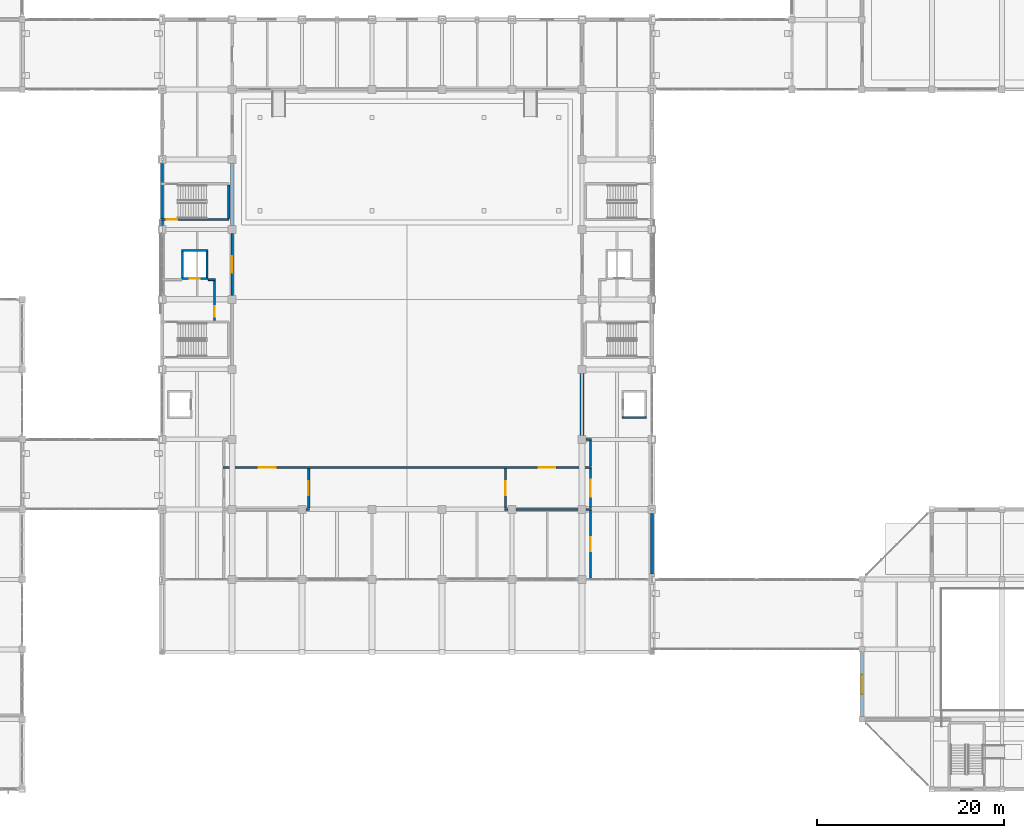
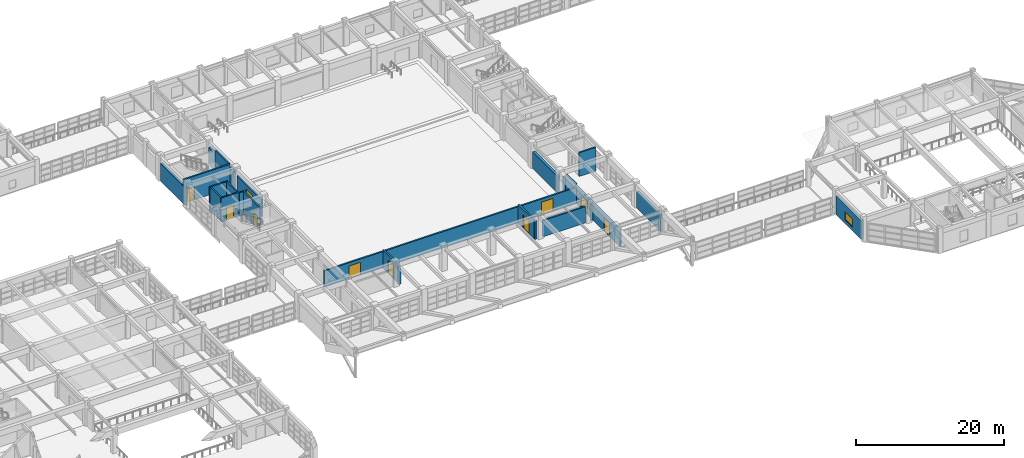
# One storey, part 101 of 132: 26 walls, 10 doors, 1 window, 11 openings.
"""IFC4 building model written with IfcOpenShell, lengths in metres."""

from ifc_helpers import new_model, si_unit, direction, frame, frame_2d, origin, place, context, subcontext, project, spatial, rectangle, extrude, material, layer, layer_set, type_object, element, fill, save


model = new_model("IFC4")

# Units and contexts
model_context = context("Model", 3, precision=1e-05, world=origin(), true_north=direction((0.0, 1.0)))
body_context = subcontext(model_context, "Body", "Model", "MODEL_VIEW")
ifc_project = project(units=[si_unit("LENGTHUNIT", "METRE"), si_unit("AREAUNIT", "SQUARE_METRE"), si_unit("VOLUMEUNIT", "CUBIC_METRE"), si_unit("PLANEANGLEUNIT", "RADIAN"), si_unit("MASSUNIT", "GRAM", prefix="KILO")], contexts=[model_context])

# Site, building, storey
site_placement = place(None, origin())
site = spatial("IfcSite", under=ifc_project, at=site_placement, CompositionType="ELEMENT")
building_placement = place(site_placement, origin())
building = spatial("IfcBuilding", under=site, at=building_placement, Name="Qasida Concert Hall", CompositionType="ELEMENT")
storey_placement = place(building_placement, frame((0.0, 0.0, 4.800048828125)))
storey = spatial("IfcBuildingStorey", under=building, at=storey_placement, Name="L01", CompositionType="ELEMENT", Elevation=4.800048828125)

# Wall
ifc_material_1 = material(Name="Concrete C40/50", Category="concrete")
ifc_layer_1 = layer(ifc_material_1, 0.219970703125, Name="Concrete C40/50")
ifc_layer_set_1 = layer_set([ifc_layer_1], Name="Concrete C40/50")
wall_type_1 = type_object("IfcWallType", Name="WL-CW-220", PredefinedType="SOLIDWALL", material=ifc_layer_set_1)
wall_1_placement = place(storey_placement, frame((101.7900390625, 39.85009765625, 0.0), z_axis=(0.0, 0.0, 1.0), x_axis=(1.0, 0.0, 0.0)))
element("IfcWall", 1, at=wall_1_placement, inside=storey, type_object=wall_type_1, Name="L01 LF-02 lift shaft wall S", PredefinedType="SOLIDWALL", context=body_context, shape_type="SweptSolid", body=[
    extrude(rectangle(XDim=2.619873046875, YDim=0.219970703125, at=frame_2d((1.31005859375, 0.0))), origin(), (0.0, 0.0, 1.0), 3.919921875),
])

# Wall, opening, door
wall_2_placement = place(storey_placement, frame((54.590087890625, 54.75, 0.0), z_axis=(0.0, 0.0, 1.0), x_axis=(1.0, 0.0, 0.0)))
wall_2 = element("IfcWall", 2, at=wall_2_placement, inside=storey, type_object=wall_type_1, Name="L01 LF-03 lift shaft wall S", PredefinedType="SOLIDWALL", context=body_context, shape_type="SweptSolid", body=[
    extrude(rectangle(XDim=2.81982421875, YDim=0.219970703125, at=frame_2d((1.409912109375, 0.0))), origin(), (0.0, 0.0, 1.0), 3.919921875),
])
opening_1_placement = place(wall_2_placement, frame((0.860107421875, 0.0, 0.0)))
opening_1 = element("IfcOpeningElement", 3, at=opening_1_placement, cuts=wall_2, Name="Opening LD-110", PredefinedType="OPENING", context=body_context, shape_type="SweptSolid", body=[
    extrude(rectangle(XDim=1.10009765625, YDim=2.14990234375, at=frame_2d((0.550048828125, 1.074951171875))), frame((0.0, 0.119873046875, 0.0), z_axis=(0.0, -1.0, 0.0), x_axis=(1.0, 0.0, 0.0)), (0.0, 0.0, 1.0), 0.239990234375),
])
ifc_material_2 = material(Name="Firefighting lift sliding landing door", Category="steel")
door_type_1 = type_object("IfcDoorType", Name="LD-110", OperationType="SLIDING_TO_LEFT", PredefinedType="DOOR", material=ifc_material_2)
door_1_placement = place(opening_1_placement, origin())
door_1 = element("IfcDoor", 4, at=door_1_placement, inside=storey, type_object=door_type_1, Name="Lift landing door LF-03 L01", OperationType="SLIDING_TO_LEFT", OverallHeight=2.14990234375, OverallWidth=1.10009765625, PredefinedType="DOOR", context=body_context, shape_type="SweptSolid", body=[
    extrude(rectangle(XDim=1.10009765625, YDim=2.14990234375, at=frame_2d((0.550048828125, 1.074951171875))), frame((0.0, 0.02490234375, 0.0), z_axis=(0.0, -1.0, 0.0), x_axis=(1.0, 0.0, 0.0)), (0.0, 0.0, 1.0), 0.050048828125),
])
fill(opening_1, door_1)

# Walls
wall_3_placement = place(storey_placement, frame((54.590087890625, 57.75, 0.0), z_axis=(0.0, 0.0, 1.0), x_axis=(1.0, 0.0, 0.0)))
element("IfcWall", 5, at=wall_3_placement, inside=storey, type_object=wall_type_1, Name="L01 LF-03 lift shaft wall N", PredefinedType="SOLIDWALL", context=body_context, shape_type="SweptSolid", body=[
    extrude(rectangle(XDim=2.81982421875, YDim=0.219970703125, at=frame_2d((1.409912109375, 0.0))), origin(), (0.0, 0.0, 1.0), 3.919921875),
])
for number, where, z_axis, x_axis, name in (
    (6, (54.699951171875, 54.860107421875, 0.0), (0.0, 0.0, 1.0), (0.0, 1.0, 0.0), "L01 LF-03 lift shaft wall W"),
    (7, (57.300048828125, 54.860107421875, 0.0), (0.0, 0.0, 1.0), (0.0, 1.0, 0.0), "L01 LF-03 lift shaft wall E"),
):
    element("IfcWall", number, at=place(storey_placement, frame(where, z_axis=z_axis, x_axis=x_axis)), inside=storey, type_object=wall_type_1, Name=name, PredefinedType="SOLIDWALL", context=body_context, shape_type="SweptSolid", body=[
        extrude(rectangle(XDim=2.77978515625, YDim=0.219970703125, at=frame_2d((1.389892578125, 0.0))), origin(), (0.0, 0.0, 1.0), 3.919921875),
    ])

# Wall, opening, door
wall_4_placement = place(storey_placement, frame((58.10009765625, 50.219970703125, 0.0), z_axis=(0.0, 0.0, 1.0), x_axis=(0.0, 1.0, 0.0)))
wall_4 = element("IfcWall", 8, at=wall_4_placement, inside=storey, type_object=wall_type_1, Name="L01 LF-03 firefighting lobby wall", PredefinedType="SOLIDWALL", context=body_context, shape_type="SweptSolid", body=[
    extrude(rectangle(XDim=4.409912109375, YDim=0.219970703125, at=frame_2d((2.205078125, 0.0))), origin(), (0.0, 0.0, 1.0), 3.919921875),
])
opening_2_placement = place(wall_4_placement, frame((0.449951171875, 0.0, 0.0)))
opening_2 = element("IfcOpeningElement", 9, at=opening_2_placement, cuts=wall_4, Name="Opening FD-110", PredefinedType="OPENING", context=body_context, shape_type="SweptSolid", body=[
    extrude(rectangle(XDim=1.10009765625, YDim=2.14990234375, at=frame_2d((0.550048828125, 1.074951171875))), frame((0.0, 0.119873046875, 0.0), z_axis=(0.0, -1.0, 0.0), x_axis=(1.0, 0.0, 0.0)), (0.0, 0.0, 1.0), 0.239990234375),
])
ifc_material_3 = material(Name="Steel fire-rated stair/lobby door set", Category="steel")
door_type_2 = type_object("IfcDoorType", Name="FD-110", OperationType="NOTDEFINED", PredefinedType="DOOR", material=ifc_material_3)
door_2_placement = place(opening_2_placement, origin())
door_2 = element("IfcDoor", 10, at=door_2_placement, inside=storey, type_object=door_type_2, Name="L01 LF-03 firefighting lobby fire door", OperationType="SINGLE_SWING_LEFT", OverallHeight=2.14990234375, OverallWidth=1.10009765625, PredefinedType="DOOR", context=body_context, shape_type="SweptSolid", body=[
    extrude(rectangle(XDim=1.10009765625, YDim=2.14990234375, at=frame_2d((0.550048828125, 1.074951171875))), frame((0.0, 0.02490234375, 0.0), z_axis=(0.0, -1.0, 0.0), x_axis=(1.0, 0.0, 0.0)), (0.0, 0.0, 1.0), 0.050048828125),
])
fill(opening_2, door_2)

ifc_layer_2 = layer(ifc_material_1, 0.25, Name="Concrete C40/50")
ifc_layer_set_2 = layer_set([ifc_layer_2], Name="Concrete C40/50")
wall_type_2 = type_object("IfcWallType", Name="WL-CW-250", PredefinedType="SOLIDWALL", material=ifc_layer_set_2)
wall_5_placement = place(storey_placement, frame((52.3798828125, 61.074951171875, 0.0), z_axis=(0.0, 0.0, 1.0), x_axis=(1.0, 0.0, 0.0)))
wall_5 = element("IfcWall", 11, at=wall_5_placement, inside=storey, type_object=wall_type_2, Name="L01 ST-11 stairwell wall S", PredefinedType="SOLIDWALL", context=body_context, shape_type="SweptSolid", body=[
    extrude(rectangle(XDim=7.260009765625, YDim=0.25, at=frame_2d((3.6298828125, 0.0))), origin(), (0.0, 0.0, 1.0), 3.919921875),
])
opening_3_placement = place(wall_5_placement, frame((0.6201171875, 0.0, 0.0)))
opening_3 = element("IfcOpeningElement", 12, at=opening_3_placement, cuts=wall_5, Name="Opening FD-110", PredefinedType="OPENING", context=body_context, shape_type="SweptSolid", body=[
    extrude(rectangle(XDim=1.10009765625, YDim=2.14990234375, at=frame_2d((0.550048828125, 1.074951171875))), frame((0.0, 0.135009765625, 0.0), z_axis=(0.0, -1.0, 0.0), x_axis=(1.0, 0.0, 0.0)), (0.0, 0.0, 1.0), 0.27001953125),
])
door_3_placement = place(opening_3_placement, origin())
door_3 = element("IfcDoor", 13, at=door_3_placement, inside=storey, type_object=door_type_2, Name="L01 ST-11 rated stair door", OperationType="SINGLE_SWING_LEFT", OverallHeight=2.14990234375, OverallWidth=1.10009765625, PredefinedType="DOOR", context=body_context, shape_type="SweptSolid", body=[
    extrude(rectangle(XDim=1.10009765625, YDim=2.14990234375, at=frame_2d((0.550048828125, 1.074951171875))), frame((0.0, 0.02490234375, 0.0), z_axis=(0.0, -1.0, 0.0), x_axis=(1.0, 0.0, 0.0)), (0.0, 0.0, 1.0), 0.050048828125),
])
fill(opening_3, door_3)

# Wall
wall_6_placement = place(storey_placement, frame((59.64501953125, 61.199951171875, 0.0), z_axis=(0.0, 0.0, 1.0), x_axis=(0.0, 1.0, 0.0)))
element("IfcWall", 14, at=wall_6_placement, inside=storey, type_object=wall_type_2, Name="L01 ST-11 stairwell wall E", PredefinedType="SOLIDWALL", context=body_context, shape_type="SweptSolid", body=[
    extrude(rectangle(XDim=3.56005859375, YDim=0.25, at=frame_2d((1.780029296875, 0.0))), origin(), (0.0, 0.0, 1.0), 3.919921875),
])

# Wall, opening, window
ifc_material_4 = material(Name="Precast concrete C40/50", Category="concrete")
ifc_layer_3 = layer(ifc_material_4, 0.320068359375, Name="Precast concrete C40/50")
ifc_layer_set_3 = layer_set([ifc_layer_3], Name="Precast concrete C40/50")
wall_type_3 = type_object("IfcWallType", Name="WL-EW-320", PredefinedType="SOLIDWALL", material=ifc_layer_set_3)
wall_7_placement = place(storey_placement, frame((127.5, 14.675048828125, 0.0), z_axis=(0.0, 0.0, 1.0), x_axis=(0.0, -1.0, 0.0)))
wall_7 = element("IfcWall", 15, at=wall_7_placement, inside=storey, type_object=wall_type_3, Name="L01 exterior wall EW-320 0163", PredefinedType="SOLIDWALL", context=body_context, shape_type="SweptSolid", body=[
    extrude(rectangle(XDim=6.85009765625, YDim=0.320068359375, at=frame_2d((3.425048828125, 0.0))), origin(), (0.0, 0.0, 1.0), 3.08984375),
])
opening_4_placement = place(wall_7_placement, frame((2.375, 0.0, 0.60009765625)))
opening_4 = element("IfcOpeningElement", 16, at=opening_4_placement, cuts=wall_7, Name="Opening WN-15", PredefinedType="OPENING", context=body_context, shape_type="SweptSolid", body=[
    extrude(rectangle(XDim=2.10009765625, YDim=1.300048828125, at=frame_2d((1.050048828125, 0.64990234375))), frame((0.0, 0.169921875, 0.0), z_axis=(0.0, -1.0, 0.0), x_axis=(1.0, 0.0, 0.0)), (0.0, 0.0, 1.0), 0.340087890625),
])
ifc_material_5 = material(Name="Bronze-anodized aluminium frame with acoustic low-E glazing", Category="aluminium")
window_type = type_object("IfcWindowType", Name="WN-15", PartitioningType="SINGLE_PANEL", PredefinedType="WINDOW", material=ifc_material_5)
window_placement = place(opening_4_placement, origin())
window = element("IfcWindow", 17, at=window_placement, inside=storey, type_object=window_type, Name="L01 window WN-15 0073", OverallHeight=1.300048828125, OverallWidth=2.10009765625, PartitioningType="SINGLE_PANEL", PredefinedType="WINDOW", context=body_context, shape_type="SweptSolid", body=[
    extrude(rectangle(XDim=2.10009765625, YDim=1.300048828125, at=frame_2d((1.050048828125, 0.64990234375))), frame((0.0, 0.030029296875, 0.0), z_axis=(0.0, -1.0, 0.0), x_axis=(1.0, 0.0, 0.0)), (0.0, 0.0, 1.0), 0.06005859375),
])
fill(opening_4, window)

# Walls
ifc_layer_4 = layer(ifc_material_4, 0.340087890625, Name="Precast concrete C40/50")
ifc_layer_set_4 = layer_set([ifc_layer_4], Name="Precast concrete C40/50")
wall_type_4 = type_object("IfcWallType", Name="WL-EW-340", PredefinedType="SOLIDWALL", material=ifc_layer_set_4)
wall_8_placement = place(storey_placement, frame((105.0, 23.06494140625, 0.0), z_axis=(0.0, 0.0, 1.0), x_axis=(0.0, 1.0, 0.0)))
element("IfcWall", 18, at=wall_8_placement, inside=storey, type_object=wall_type_4, Name="L01 exterior wall EW-340 0032", PredefinedType="SOLIDWALL", context=body_context, shape_type="SweptSolid", body=[
    extrude(rectangle(XDim=6.5, YDim=0.340087890625, at=frame_2d((3.25, 0.0))), origin(), (0.0, 0.0, 1.0), 2.68994140625),
])
wall_9_placement = place(storey_placement, frame((52.5, 60.43505859375, 0.0), z_axis=(0.0, 0.0, 1.0), x_axis=(0.0, 1.0, 0.0)))
element("IfcWall", 19, at=wall_9_placement, inside=storey, type_object=wall_type_4, Name="L01 exterior wall EW-340 0035", PredefinedType="SOLIDWALL", context=body_context, shape_type="SweptSolid", body=[
    extrude(rectangle(XDim=6.6298828125, YDim=0.340087890625, at=frame_2d((3.31494140625, 0.0))), origin(), (0.0, 0.0, 1.0), 2.93994140625),
])
ifc_material_6 = material(Name="Acoustic gypsum block and mineral wool", Category="gypsum")
ifc_layer_5 = layer(ifc_material_6, 0.199951171875, Name="Acoustic gypsum block and mineral wool")
ifc_layer_set_5 = layer_set([ifc_layer_5], Name="Acoustic gypsum block and mineral wool")
wall_type_5 = type_object("IfcWallType", Name="WL-PW-200", PredefinedType="PARTITIONING", material=ifc_layer_set_5)
wall_10_placement = place(storey_placement, frame((57.425048828125, 54.6298828125, 0.0), z_axis=(0.0, 0.0, 1.0), x_axis=(1.0, 0.0, 0.0)))
element("IfcWall", 20, at=wall_10_placement, inside=storey, type_object=wall_type_5, Name="L01 LF-03 firefighting lobby return wall", PredefinedType="PARTITIONING", context=body_context, shape_type="SweptSolid", body=[
    extrude(rectangle(XDim=0.784912109375, YDim=0.199951171875, at=frame_2d((0.392578125, 0.0))), origin(), (0.0, 0.0, 1.0), 3.89990234375),
])
ifc_material_7 = material(Name="Double-stud acoustic gypsum and mineral wool", Category="gypsum")
ifc_layer_6 = layer(ifc_material_7, 0.239990234375, Name="Double-stud acoustic gypsum and mineral wool")
ifc_layer_set_6 = layer_set([ifc_layer_6], Name="Double-stud acoustic gypsum and mineral wool")
wall_type_6 = type_object("IfcWallType", Name="WL-PW-240", PredefinedType="PARTITIONING", material=ifc_layer_set_6)
wall_11_placement = place(storey_placement, frame((67.93896484375, 30.0, 0.0), z_axis=(0.0, 0.0, 1.0), x_axis=(1.0, 0.0, 0.0)))
element("IfcWall", 21, at=wall_11_placement, inside=storey, type_object=wall_type_6, Name="L01 partition PW-240 0431", PredefinedType="PARTITIONING", context=body_context, shape_type="SweptSolid", body=[
    extrude(rectangle(XDim=0.361083984375, YDim=0.239990234375, at=frame_2d((0.1806640625, 0.0))), origin(), (0.0, 0.0, 1.0), 2.989990234375),
])
wall_12_placement = place(storey_placement, frame((89.199951171875, 30.0, 0.0), z_axis=(0.0, 0.0, 1.0), x_axis=(1.0, 0.0, 0.0)))
element("IfcWall", 22, at=wall_12_placement, inside=storey, type_object=wall_type_6, Name="L01 partition PW-240 0432", PredefinedType="PARTITIONING", context=body_context, shape_type="SweptSolid", body=[
    extrude(rectangle(XDim=0.361083984375, YDim=0.239990234375, at=frame_2d((0.1806640625, 0.0))), origin(), (0.0, 0.0, 1.0), 3.0400390625),
])
wall_13_placement = place(storey_placement, frame((90.43896484375, 30.0, 0.0), z_axis=(0.0, 0.0, 1.0), x_axis=(1.0, 0.0, 0.0)))
element("IfcWall", 23, at=wall_13_placement, inside=storey, type_object=wall_type_6, Name="L01 partition PW-240 0433", PredefinedType="PARTITIONING", context=body_context, shape_type="SweptSolid", body=[
    extrude(rectangle(XDim=6.6220703125, YDim=0.239990234375, at=frame_2d((3.31103515625, 0.0))), origin(), (0.0, 0.0, 1.0), 2.68994140625),
])
for number, where, z_axis, x_axis, name in (
    (24, (97.93896484375, 30.0, 0.0), (0.0, 0.0, 1.0), (1.0, 0.0, 0.0), "L01 partition PW-240 0434"),
    (25, (97.93896484375, 37.5, 0.0), (0.0, 0.0, 1.0), (1.0, 0.0, 0.0), "L01 partition PW-240 0436"),
):
    element("IfcWall", number, at=place(storey_placement, frame(where, z_axis=z_axis, x_axis=x_axis)), inside=storey, type_object=wall_type_6, Name=name, PredefinedType="PARTITIONING", context=body_context, shape_type="SweptSolid", body=[
        extrude(rectangle(XDim=0.56103515625, YDim=0.239990234375, at=frame_2d((0.280517578125, 0.0))), origin(), (0.0, 0.0, 1.0), 2.68994140625),
    ])

# Wall, openings, doors
wall_14_placement = place(storey_placement, frame((59.0, 34.5, 0.0), z_axis=(0.0, 0.0, 1.0), x_axis=(1.0, 0.0, 0.0)))
wall_14 = element("IfcWall", 26, at=wall_14_placement, inside=storey, type_object=wall_type_6, Name="L01 partition PW-240 0437", PredefinedType="PARTITIONING", context=body_context, shape_type="SweptSolid", body=[
    extrude(rectangle(XDim=39.5, YDim=0.239990234375, at=frame_2d((19.75, 0.0))), origin(), (0.0, 0.0, 1.0), 2.68994140625),
])
opening_5_placement = place(wall_14_placement, frame((3.85009765625, 0.0, 0.0)))
opening_5 = element("IfcOpeningElement", 27, at=opening_5_placement, cuts=wall_14, Name="Opening AD-180", PredefinedType="OPENING", context=body_context, shape_type="SweptSolid", body=[
    extrude(rectangle(XDim=1.800048828125, YDim=2.159912109375, at=frame_2d((0.89990234375, 1.080078125))), frame((0.0, 0.1298828125, 0.0), z_axis=(0.0, -1.0, 0.0), x_axis=(1.0, 0.0, 0.0)), (0.0, 0.0, 1.0), 0.260009765625),
])
opening_6_placement = place(wall_14_placement, frame((33.85009765625, 0.0, 0.0)))
opening_6 = element("IfcOpeningElement", 28, at=opening_6_placement, cuts=wall_14, Name="Opening AD-180", PredefinedType="OPENING", context=body_context, shape_type="SweptSolid", body=[
    extrude(rectangle(XDim=1.800048828125, YDim=2.159912109375, at=frame_2d((0.89990234375, 1.080078125))), frame((0.0, 0.1298828125, 0.0), z_axis=(0.0, -1.0, 0.0), x_axis=(1.0, 0.0, 0.0)), (0.0, 0.0, 1.0), 0.260009765625),
])
ifc_material_8 = material(Name="Double-seal Rw 52 dB auditorium vomitory door", Category="wood")
door_type_3 = type_object("IfcDoorType", Name="AD-180", OperationType="NOTDEFINED", PredefinedType="DOOR", material=ifc_material_8)
door_4_placement = place(opening_5_placement, origin())
door_4 = element("IfcDoor", 29, at=door_4_placement, inside=storey, type_object=door_type_3, Name="L01 West vomitory auditorium door", OperationType="SINGLE_SWING_RIGHT", OverallHeight=2.159912109375, OverallWidth=1.800048828125, PredefinedType="DOOR", context=body_context, shape_type="SweptSolid", body=[
    extrude(rectangle(XDim=1.800048828125, YDim=2.159912109375, at=frame_2d((0.89990234375, 1.080078125))), frame((0.0, 0.02490234375, 0.0), z_axis=(0.0, -1.0, 0.0), x_axis=(1.0, 0.0, 0.0)), (0.0, 0.0, 1.0), 0.050048828125),
])
fill(opening_5, door_4)
door_5_placement = place(opening_6_placement, origin())
door_5 = element("IfcDoor", 30, at=door_5_placement, inside=storey, type_object=door_type_3, Name="L01 East vomitory auditorium door", OperationType="SINGLE_SWING_LEFT", OverallHeight=2.159912109375, OverallWidth=1.800048828125, PredefinedType="DOOR", context=body_context, shape_type="SweptSolid", body=[
    extrude(rectangle(XDim=1.800048828125, YDim=2.159912109375, at=frame_2d((0.89990234375, 1.080078125))), frame((0.0, 0.02490234375, 0.0), z_axis=(0.0, -1.0, 0.0), x_axis=(1.0, 0.0, 0.0)), (0.0, 0.0, 1.0), 0.050048828125),
])
fill(opening_6, door_5)

# Wall, opening, door
wall_15_placement = place(storey_placement, frame((68.199951171875, 30.134033203125, 0.0), z_axis=(0.0, 0.0, 1.0), x_axis=(0.0, 1.0, 0.0)))
wall_15 = element("IfcWall", 31, at=wall_15_placement, inside=storey, type_object=wall_type_6, Name="L01 partition PW-240 0438", PredefinedType="PARTITIONING", context=body_context, shape_type="SweptSolid", body=[
    extrude(rectangle(XDim=4.23193359375, YDim=0.239990234375, at=frame_2d((2.115966796875, 0.0))), origin(), (0.0, 0.0, 1.0), 2.989990234375),
])
opening_7_placement = place(wall_15_placement, frame((1.365966796875, 0.0, 0.0)))
opening_7 = element("IfcOpeningElement", 32, at=opening_7_placement, cuts=wall_15, Name="Opening ID-150", PredefinedType="OPENING", context=body_context, shape_type="SweptSolid", body=[
    extrude(rectangle(XDim=1.5, YDim=2.159912109375, at=frame_2d((0.75, 1.080078125))), frame((0.0, 0.1298828125, 0.0), z_axis=(0.0, -1.0, 0.0), x_axis=(1.0, 0.0, 0.0)), (0.0, 0.0, 1.0), 0.260009765625),
])
ifc_material_9 = material(Name="Bronze-framed glazed foyer door", Category="aluminium")
door_type_4 = type_object("IfcDoorType", Name="ID-150", OperationType="NOTDEFINED", PredefinedType="DOOR", material=ifc_material_9)
door_6_placement = place(opening_7_placement, origin())
door_6 = element("IfcDoor", 33, at=door_6_placement, inside=storey, type_object=door_type_4, Name="L01 West vomitory foyer door", OperationType="SINGLE_SWING_RIGHT", OverallHeight=2.159912109375, OverallWidth=1.5, PredefinedType="DOOR", context=body_context, shape_type="SweptSolid", body=[
    extrude(rectangle(XDim=1.5, YDim=2.159912109375, at=frame_2d((0.75, 1.080078125))), frame((0.0, 0.02490234375, 0.0), z_axis=(0.0, -1.0, 0.0), x_axis=(1.0, 0.0, 0.0)), (0.0, 0.0, 1.0), 0.050048828125),
])
fill(opening_7, door_6)

wall_16_placement = place(storey_placement, frame((89.300048828125, 30.134033203125, 0.0), z_axis=(0.0, 0.0, 1.0), x_axis=(0.0, 1.0, 0.0)))
wall_16 = element("IfcWall", 34, at=wall_16_placement, inside=storey, type_object=wall_type_6, Name="L01 partition PW-240 0439", PredefinedType="PARTITIONING", context=body_context, shape_type="SweptSolid", body=[
    extrude(rectangle(XDim=4.23193359375, YDim=0.239990234375, at=frame_2d((2.115966796875, 0.0))), origin(), (0.0, 0.0, 1.0), 3.0400390625),
])
opening_8_placement = place(wall_16_placement, frame((1.365966796875, 0.0, 0.0)))
opening_8 = element("IfcOpeningElement", 35, at=opening_8_placement, cuts=wall_16, Name="Opening ID-150", PredefinedType="OPENING", context=body_context, shape_type="SweptSolid", body=[
    extrude(rectangle(XDim=1.5, YDim=2.159912109375, at=frame_2d((0.75, 1.080078125))), frame((0.0, 0.1298828125, 0.0), z_axis=(0.0, -1.0, 0.0), x_axis=(1.0, 0.0, 0.0)), (0.0, 0.0, 1.0), 0.260009765625),
])
door_7_placement = place(opening_8_placement, origin())
door_7 = element("IfcDoor", 36, at=door_7_placement, inside=storey, type_object=door_type_4, Name="L01 East vomitory foyer door", OperationType="SINGLE_SWING_LEFT", OverallHeight=2.159912109375, OverallWidth=1.5, PredefinedType="DOOR", context=body_context, shape_type="SweptSolid", body=[
    extrude(rectangle(XDim=1.5, YDim=2.159912109375, at=frame_2d((0.75, 1.080078125))), frame((0.0, 0.02490234375, 0.0), z_axis=(0.0, -1.0, 0.0), x_axis=(1.0, 0.0, 0.0)), (0.0, 0.0, 1.0), 0.050048828125),
])
fill(opening_8, door_7)

wall_17_placement = place(storey_placement, frame((98.39990234375, 22.632080078125, 0.0), z_axis=(0.0, 0.0, 1.0), x_axis=(0.0, 1.0, 0.0)))
wall_17 = element("IfcWall", 37, at=wall_17_placement, inside=storey, type_object=wall_type_6, Name="L01 partition PW-240 0448", PredefinedType="PARTITIONING", context=body_context, shape_type="SweptSolid", body=[
    extrude(rectangle(XDim=7.23388671875, YDim=0.239990234375, at=frame_2d((3.616943359375, 0.0))), origin(), (0.0, 0.0, 1.0), 2.83984375),
])
opening_9_placement = place(wall_17_placement, frame((2.867919921875, 0.0, 0.0)))
opening_9 = element("IfcOpeningElement", 38, at=opening_9_placement, cuts=wall_17, Name="Opening ID-150", PredefinedType="OPENING", context=body_context, shape_type="SweptSolid", body=[
    extrude(rectangle(XDim=1.5, YDim=2.159912109375, at=frame_2d((0.75, 1.080078125))), frame((0.0, 0.1298828125, 0.0), z_axis=(0.0, -1.0, 0.0), x_axis=(1.0, 0.0, 0.0)), (0.0, 0.0, 1.0), 0.260009765625),
])
door_8_placement = place(opening_9_placement, origin())
door_8 = element("IfcDoor", 39, at=door_8_placement, inside=storey, type_object=door_type_4, Name="L01 Stalls foyer gallery east door", OperationType="SINGLE_SWING_RIGHT", OverallHeight=2.159912109375, OverallWidth=1.5, PredefinedType="DOOR", context=body_context, shape_type="SweptSolid", body=[
    extrude(rectangle(XDim=1.5, YDim=2.159912109375, at=frame_2d((0.75, 1.080078125))), frame((0.0, 0.02490234375, 0.0), z_axis=(0.0, -1.0, 0.0), x_axis=(1.0, 0.0, 0.0)), (0.0, 0.0, 1.0), 0.050048828125),
])
fill(opening_9, door_8)

wall_18_placement = place(storey_placement, frame((98.39990234375, 30.134033203125, 0.0), z_axis=(0.0, 0.0, 1.0), x_axis=(0.0, 1.0, 0.0)))
wall_18 = element("IfcWall", 40, at=wall_18_placement, inside=storey, type_object=wall_type_6, Name="L01 partition PW-240 0449", PredefinedType="PARTITIONING", context=body_context, shape_type="SweptSolid", body=[
    extrude(rectangle(XDim=4.23193359375, YDim=0.239990234375, at=frame_2d((2.115966796875, 0.0))), origin(), (0.0, 0.0, 1.0), 2.83984375),
])
opening_10_placement = place(wall_18_placement, frame((1.216064453125, 0.0, 0.0)))
opening_10 = element("IfcOpeningElement", 41, at=opening_10_placement, cuts=wall_18, Name="Opening AD-180", PredefinedType="OPENING", context=body_context, shape_type="SweptSolid", body=[
    extrude(rectangle(XDim=1.800048828125, YDim=2.159912109375, at=frame_2d((0.89990234375, 1.080078125))), frame((0.0, 0.1298828125, 0.0), z_axis=(0.0, -1.0, 0.0), x_axis=(1.0, 0.0, 0.0)), (0.0, 0.0, 1.0), 0.260009765625),
])
door_9_placement = place(opening_10_placement, origin())
door_9 = element("IfcDoor", 42, at=door_9_placement, inside=storey, type_object=door_type_3, Name="L01 Stalls east vomitory outer door", OperationType="SINGLE_SWING_LEFT", OverallHeight=2.159912109375, OverallWidth=1.800048828125, PredefinedType="DOOR", context=body_context, shape_type="SweptSolid", body=[
    extrude(rectangle(XDim=1.800048828125, YDim=2.159912109375, at=frame_2d((0.89990234375, 1.080078125))), frame((0.0, 0.02490234375, 0.0), z_axis=(0.0, -1.0, 0.0), x_axis=(1.0, 0.0, 0.0)), (0.0, 0.0, 1.0), 0.050048828125),
])
fill(opening_10, door_9)

# Wall
wall_19_placement = place(storey_placement, frame((98.39990234375, 34.634033203125, 0.0), z_axis=(0.0, 0.0, 1.0), x_axis=(0.0, 1.0, 0.0)))
element("IfcWall", 43, at=wall_19_placement, inside=storey, type_object=wall_type_6, Name="L01 partition PW-240 0450", PredefinedType="PARTITIONING", context=body_context, shape_type="SweptSolid", body=[
    extrude(rectangle(XDim=2.73193359375, YDim=0.239990234375, at=frame_2d((1.365966796875, 0.0))), origin(), (0.0, 0.0, 1.0), 3.08984375),
])

# Wall, opening, door
wall_20_placement = place(storey_placement, frame((60.0, 52.93896484375, 0.0), z_axis=(0.0, 0.0, 1.0), x_axis=(0.0, 1.0, 0.0)))
wall_20 = element("IfcWall", 44, at=wall_20_placement, inside=storey, type_object=wall_type_6, Name="L01 partition PW-240 0452", PredefinedType="PARTITIONING", context=body_context, shape_type="SweptSolid", body=[
    extrude(rectangle(XDim=6.6220703125, YDim=0.239990234375, at=frame_2d((3.31103515625, 0.0))), origin(), (0.0, 0.0, 1.0), 2.83984375),
])
opening_11_placement = place(wall_20_placement, frame((2.410888671875, 0.0, 0.0)))
opening_11 = element("IfcOpeningElement", 45, at=opening_11_placement, cuts=wall_20, Name="Opening AD-180", PredefinedType="OPENING", context=body_context, shape_type="SweptSolid", body=[
    extrude(rectangle(XDim=1.800048828125, YDim=2.159912109375, at=frame_2d((0.89990234375, 1.080078125))), frame((0.0, 0.1298828125, 0.0), z_axis=(0.0, -1.0, 0.0), x_axis=(1.0, 0.0, 0.0)), (0.0, 0.0, 1.0), 0.260009765625),
])
door_10_placement = place(opening_11_placement, origin())
door_10 = element("IfcDoor", 46, at=door_10_placement, inside=storey, type_object=door_type_3, Name="L01 Stalls west side door", OperationType="SINGLE_SWING_RIGHT", OverallHeight=2.159912109375, OverallWidth=1.800048828125, PredefinedType="DOOR", context=body_context, shape_type="SweptSolid", body=[
    extrude(rectangle(XDim=1.800048828125, YDim=2.159912109375, at=frame_2d((0.89990234375, 1.080078125))), frame((0.0, 0.02490234375, 0.0), z_axis=(0.0, -1.0, 0.0), x_axis=(1.0, 0.0, 0.0)), (0.0, 0.0, 1.0), 0.050048828125),
])
fill(opening_11, door_10)

# Walls
ifc_layer_7 = layer(ifc_material_1, 0.39990234375, Name="Concrete C40/50")
ifc_layer_set_7 = layer_set([ifc_layer_7], Name="Concrete C40/50")
wall_type_7 = type_object("IfcWallType", Name="WL-SW-400", PredefinedType="SHEAR", material=ifc_layer_set_7)
wall_21_placement = place(storey_placement, frame((60.0, 60.425048828125, 0.0), z_axis=(0.0, 0.0, 1.0), x_axis=(0.0, 1.0, 0.0)))
element("IfcWall", 47, at=wall_21_placement, inside=storey, type_object=wall_type_7, Name="L01 acoustic box shear wall 0016", PredefinedType="SHEAR", context=body_context, shape_type="SweptSolid", body=[
    extrude(rectangle(XDim=6.64990234375, YDim=0.39990234375, at=frame_2d((3.324951171875, 0.0))), origin(), (0.0, 0.0, 1.0), 2.969970703125),
])
wall_22_placement = place(storey_placement, frame((97.5, 37.925048828125, 0.0), z_axis=(0.0, 0.0, 1.0), x_axis=(0.0, 1.0, 0.0)))
element("IfcWall", 48, at=wall_22_placement, inside=storey, type_object=wall_type_7, Name="L01 acoustic box shear wall 0017", PredefinedType="SHEAR", context=body_context, shape_type="SweptSolid", body=[
    extrude(rectangle(XDim=6.64990234375, YDim=0.39990234375, at=frame_2d((3.324951171875, 0.0))), origin(), (0.0, 0.0, 1.0), 2.719970703125),
])

save(model, "model.ifc")
